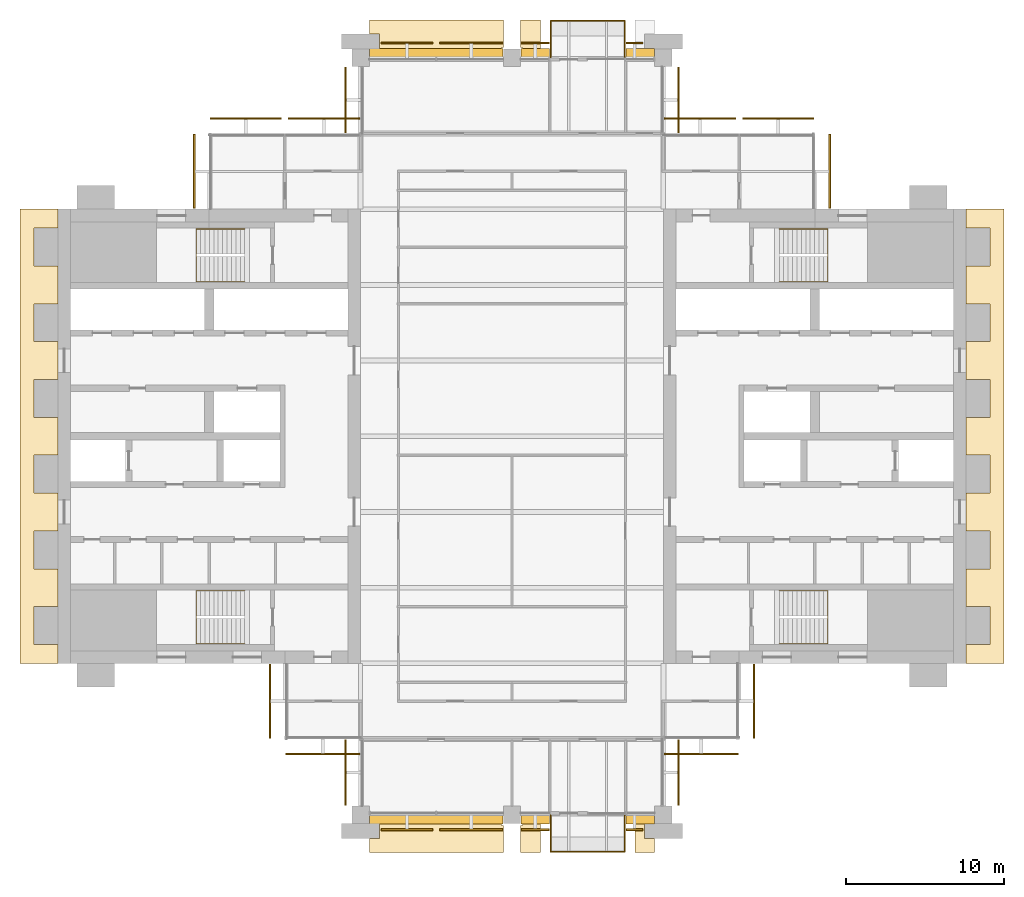
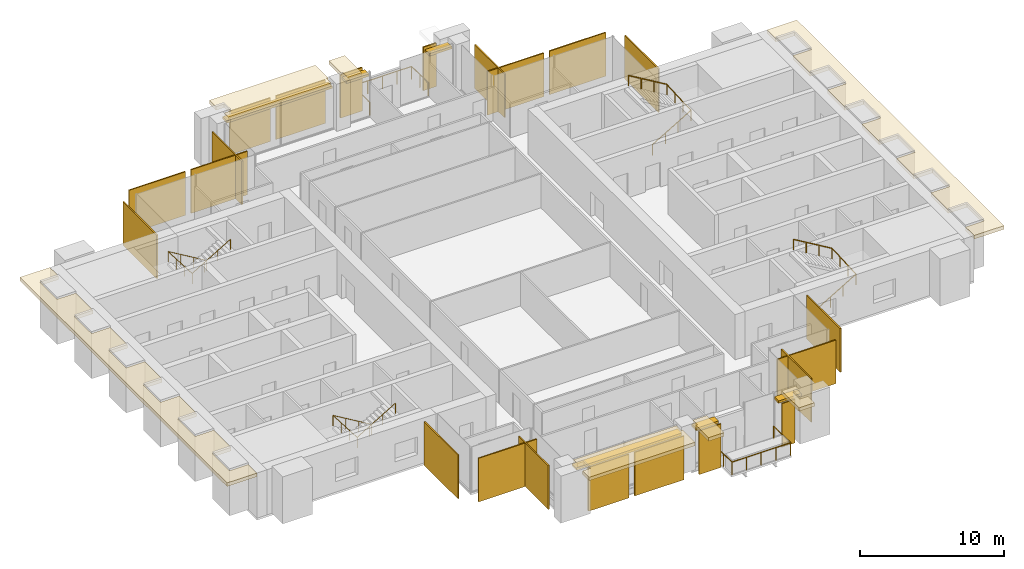
# One storey, part 13 of 14: 29 coverings, 6 railings, 6 shading devices.
"""IFC4 building model written with IfcOpenShell, lengths in metres."""

from ifc_helpers import new_model, si_unit, direction, frame, origin, origin_2d, place, context, subcontext, project, spatial, polyline, rectangle, circle, outline, extrude, material, layer, layer_set, type_object, element, save


model = new_model("IFC4")

# Units and contexts
model_context = context("Model", 3, precision=1e-05, world=origin(), true_north=direction((0.0, 1.0)))
body_context = subcontext(model_context, "Body", "Model", "MODEL_VIEW")
ifc_project = project(units=[si_unit("LENGTHUNIT", "METRE"), si_unit("AREAUNIT", "SQUARE_METRE"), si_unit("VOLUMEUNIT", "CUBIC_METRE"), si_unit("PLANEANGLEUNIT", "RADIAN"), si_unit("MASSUNIT", "GRAM", prefix="KILO")], contexts=[model_context])

# Site, building, storey
site_placement = place(None, origin())
site = spatial("IfcSite", under=ifc_project, at=site_placement, CompositionType="ELEMENT")
building_placement = place(site_placement, origin())
building = spatial("IfcBuilding", under=site, at=building_placement, Name="Baori Bourse Tower", CompositionType="ELEMENT")
storey_placement = place(building_placement, frame((0.0, 0.0, 245.199951171875)))
storey = spatial("IfcBuildingStorey", under=building, at=storey_placement, Name="L54", CompositionType="ELEMENT", Elevation=245.199951171875)

# Coverings
ifc_material_1 = material(Name="Pale anodised aluminium", Category="aluminium")
covering_type_1 = type_object("IfcCoveringType", Name="BD1 Pale metal band", PredefinedType="CLADDING", material=ifc_material_1)
covering_1_placement = place(storey_placement, frame((0.0, 0.0, 3.5400390625)))
element("IfcCovering", 1, at=covering_1_placement, inside=storey, type_object=covering_type_1, Name="Pale projecting band L54 1", PredefinedType="CLADDING", context=body_context, shape_type="SweptSolid", body=[
    extrude(outline(polyline([(57.60009765625, 10.800048828125), (57.60009765625, 9.60009765625), (60.0, 9.60009765625), (60.0, 38.39990234375), (57.60009765625, 38.39990234375), (57.60009765625, 37.199951171875), (59.10009765625, 37.199951171875), (59.10009765625, 34.800048828125), (57.60009765625, 34.800048828125), (57.60009765625, 32.39990234375), (59.10009765625, 32.39990234375), (59.10009765625, 30.0), (57.60009765625, 30.0), (57.60009765625, 27.60009765625), (59.10009765625, 27.60009765625), (59.10009765625, 25.199951171875), (57.60009765625, 25.199951171875), (57.60009765625, 22.800048828125), (59.10009765625, 22.800048828125), (59.10009765625, 20.39990234375), (57.60009765625, 20.39990234375), (57.60009765625, 18.0), (59.10009765625, 18.0), (59.10009765625, 15.60009765625), (57.60009765625, 15.60009765625), (57.60009765625, 13.199951171875), (59.10009765625, 13.199951171875), (59.10009765625, 10.800048828125), (57.60009765625, 10.800048828125)])), origin(), (0.0, 0.0, 1.0), 0.300048828125),
])
covering_2_placement = place(storey_placement, frame((0.0, 0.0, 3.5400390625)))
element("IfcCovering", 2, at=covering_2_placement, inside=storey, type_object=covering_type_1, Name="Pale projecting band L54 3", PredefinedType="CLADDING", context=body_context, shape_type="SweptSolid", body=[
    extrude(outline(polyline([(29.469970703125, 48.0), (30.60009765625, 48.0), (30.60009765625, 50.39990234375), (29.35009765625, 50.39990234375), (29.35009765625, 48.669921875), (29.469970703125, 48.669921875), (29.469970703125, 48.0)])), origin(), (0.0, 0.0, 1.0), 0.300048828125),
])
covering_3_placement = place(storey_placement, frame((0.0, 0.0, 3.5400390625)))
element("IfcCovering", 3, at=covering_3_placement, inside=storey, type_object=covering_type_1, Name="Pale projecting band L54 4", PredefinedType="CLADDING", context=body_context, shape_type="SweptSolid", body=[
    extrude(outline(polyline([(19.8701171875, 48.0), (28.1298828125, 48.0), (28.1298828125, 48.669921875), (28.25, 48.669921875), (28.25, 50.39990234375), (19.75, 50.39990234375), (19.75, 49.5), (20.39990234375, 49.5), (20.39990234375, 48.550048828125), (19.8701171875, 48.550048828125), (19.8701171875, 48.0)])), origin(), (0.0, 0.0, 1.0), 0.300048828125),
])
covering_4_placement = place(storey_placement, frame((0.0, 0.0, 3.5400390625)))
element("IfcCovering", 4, at=covering_4_placement, inside=storey, type_object=covering_type_1, Name="Pale projecting band L54 5", PredefinedType="CLADDING", context=body_context, shape_type="SweptSolid", body=[
    extrude(outline(polyline([(0.0, 37.199951171875), (0.0, 38.39990234375), (-2.39990234375, 38.39990234375), (-2.39990234375, 9.60009765625), (0.0, 9.60009765625), (0.0, 10.800048828125), (-1.5, 10.800048828125), (-1.5, 13.199951171875), (0.0, 13.199951171875), (0.0, 15.60009765625), (-1.5, 15.60009765625), (-1.5, 18.0), (0.0, 18.0), (0.0, 20.39990234375), (-1.5, 20.39990234375), (-1.5, 22.800048828125), (0.0, 22.800048828125), (0.0, 25.199951171875), (-1.5, 25.199951171875), (-1.5, 27.60009765625), (0.0, 27.60009765625), (0.0, 30.0), (-1.5, 30.0), (-1.5, 32.39990234375), (0.0, 32.39990234375), (0.0, 34.800048828125), (-1.5, 34.800048828125), (-1.5, 37.199951171875), (0.0, 37.199951171875)])), origin(), (0.0, 0.0, 1.0), 0.300048828125),
])
covering_5_placement = place(storey_placement, frame((0.0, 0.0, 3.5400390625)))
element("IfcCovering", 5, at=covering_5_placement, inside=storey, type_object=covering_type_1, Name="Pale projecting band L54 6", PredefinedType="CLADDING", context=body_context, shape_type="SweptSolid", body=[
    extrude(outline(polyline([(28.1298828125, 0.0), (19.8701171875, 0.0), (19.8701171875, -0.550048828125), (20.39990234375, -0.550048828125), (20.39990234375, -1.5), (19.75, -1.5), (19.75, -2.39990234375), (28.25, -2.39990234375), (28.25, -0.669921875), (28.1298828125, -0.669921875), (28.1298828125, 0.0)])), origin(), (0.0, 0.0, 1.0), 0.300048828125),
])
covering_6_placement = place(storey_placement, frame((0.0, 0.0, 3.5400390625)))
element("IfcCovering", 6, at=covering_6_placement, inside=storey, type_object=covering_type_1, Name="Pale projecting band L54 7", PredefinedType="CLADDING", context=body_context, shape_type="SweptSolid", body=[
    extrude(outline(polyline([(30.60009765625, 0.0), (29.469970703125, 0.0), (29.469970703125, -0.669921875), (29.35009765625, -0.669921875), (29.35009765625, -2.39990234375), (30.60009765625, -2.39990234375), (30.60009765625, 0.0)])), origin(), (0.0, 0.0, 1.0), 0.300048828125),
])
covering_7_placement = place(storey_placement, frame((0.0, 0.0, 3.5400390625)))
element("IfcCovering", 7, at=covering_7_placement, inside=storey, type_object=covering_type_1, Name="Pale projecting band L54 8", PredefinedType="CLADDING", context=body_context, shape_type="SweptSolid", body=[
    extrude(outline(polyline([(37.72998046875, 0.0), (36.60009765625, 0.0), (36.60009765625, -2.39990234375), (37.85009765625, -2.39990234375), (37.85009765625, -1.5), (37.199951171875, -1.5), (37.199951171875, -0.550048828125), (37.72998046875, -0.550048828125), (37.72998046875, 0.0)])), origin(), (0.0, 0.0, 1.0), 0.300048828125),
])

# Shading devices
ifc_material_2 = material(Name="Concrete f'c 40 MPa", Category="concrete")
ifc_layer_1 = layer(ifc_material_2, 0.199951171875)
ifc_layer_set_1 = layer_set([ifc_layer_1], Name="BS1 Brise-soleil ledge")
shading_device_type = type_object("IfcShadingDeviceType", Name="BS1 Brise-soleil ledge", PredefinedType="USERDEFINED", material=ifc_layer_set_1)
for number, where, z_axis, x_axis, name in (
    (8, (36.925048828125, 48.300048828125, 3.33984375), (0.0, 0.0, 1.0), (-1.0, 0.0, 0.0), "Brise-soleil ledge L54 1"),
    (9, (30.27490234375, 48.300048828125, 3.33984375), (0.0, 0.0, 1.0), (-1.0, 0.0, 0.0), "Brise-soleil ledge L54 2"),
):
    element("IfcShadingDevice", number, at=place(storey_placement, frame(where, z_axis=z_axis, x_axis=x_axis)), inside=storey, type_object=shading_device_type, Name=name, ObjectType="BRISE SOLEIL", PredefinedType="USERDEFINED", context=body_context, shape_type="SweptSolid", body=[
        extrude(rectangle(XDim=1.81005859375, YDim=0.60009765625, at=origin_2d()), origin(), (0.0, 0.0, 1.0), 0.199951171875),
    ])
for number, where, z_axis, x_axis, name in (
    (10, (24.0, 48.300048828125, 3.33984375), (0.0, 0.0, 1.0), (-1.0, 0.0, 0.0), "Brise-soleil ledge L54 3"),
    (11, (24.0, -0.300048828125, 3.33984375), (0.0, 0.0, 1.0), (1.0, 0.0, 0.0), "Brise-soleil ledge L54 4"),
):
    element("IfcShadingDevice", number, at=place(storey_placement, frame(where, z_axis=z_axis, x_axis=x_axis)), inside=storey, type_object=shading_device_type, Name=name, ObjectType="BRISE SOLEIL", PredefinedType="USERDEFINED", context=body_context, shape_type="SweptSolid", body=[
        extrude(rectangle(XDim=8.4599609375, YDim=0.60009765625, at=origin_2d()), origin(), (0.0, 0.0, 1.0), 0.199951171875),
    ])
for number, where, z_axis, x_axis, name in (
    (12, (30.27490234375, -0.300048828125, 3.33984375), (0.0, 0.0, 1.0), (1.0, 0.0, 0.0), "Brise-soleil ledge L54 5"),
    (13, (36.925048828125, -0.300048828125, 3.33984375), (0.0, 0.0, 1.0), (1.0, 0.0, 0.0), "Brise-soleil ledge L54 6"),
):
    element("IfcShadingDevice", number, at=place(storey_placement, frame(where, z_axis=z_axis, x_axis=x_axis)), inside=storey, type_object=shading_device_type, Name=name, ObjectType="BRISE SOLEIL", PredefinedType="USERDEFINED", context=body_context, shape_type="SweptSolid", body=[
        extrude(rectangle(XDim=1.81005859375, YDim=0.60009765625, at=origin_2d()), origin(), (0.0, 0.0, 1.0), 0.199951171875),
    ])

# Railings
ifc_material_3 = material(Name="Powder-coated steel balustrade", Category="steel")
railing_type_1 = type_object("IfcRailingType", Name="Core stair handrail", PredefinedType="HANDRAIL", material=ifc_material_3)
railing_1_placement = place(storey_placement, frame((11.85009765625, 14.199951171875, 0.166748046875)))
element("IfcRailing", 14, at=railing_1_placement, inside=storey, type_object=railing_type_1, Name="L54 ST1 stair handrail 1", PredefinedType="HANDRAIL", context=body_context, shape_type="SweptSolid", body=[
    extrude(circle(Radius=0.02392578125, at=origin_2d()), frame((0.0, 0.0, 0.8759765625), z_axis=(-0.859308565015, 0.0, 0.511457515432), x_axis=(0.0, -1.0, 0.0)), (0.0, 0.0, 1.0), 3.58447265625),
    extrude(circle(Radius=0.02392578125, at=origin_2d()), frame((-3.080078125, 0.0, 2.708984375), z_axis=(0.0, -0.998763387249, 0.04971615724), x_axis=(1.0, 0.0, 0.0)), (0.0, 0.0, 1.0), 3.35400390625),
    extrude(circle(Radius=0.02392578125, at=origin_2d()), frame((-3.080078125, -3.349853515625, 2.8759765625), z_axis=(0.859308565015, 0.0, 0.511457515432), x_axis=(0.0, 1.0, 0.0)), (0.0, 0.0, 1.0), 3.58447265625),
    extrude(circle(Radius=0.02099609375, at=origin_2d()), origin(), (0.0, 0.0, 1.0), 0.851806640625),
    extrude(circle(Radius=0.02099609375, at=origin_2d()), frame((-1.026611328125, 0.0, 0.611083984375)), (0.0, 0.0, 1.0), 0.851806640625),
    extrude(circle(Radius=0.02099609375, at=origin_2d()), frame((-2.053466796875, 0.0, 1.22216796875)), (0.0, 0.0, 1.0), 0.851806640625),
    extrude(circle(Radius=0.02099609375, at=origin_2d()), frame((-3.080078125, 0.0, 1.833251953125)), (0.0, 0.0, 1.0), 0.851806640625),
    extrude(circle(Radius=0.02099609375, at=origin_2d()), frame((-3.080078125, -1.11669921875, 1.888916015625)), (0.0, 0.0, 1.0), 0.851806640625),
    extrude(circle(Radius=0.02099609375, at=origin_2d()), frame((-3.080078125, -2.233154296875, 1.9443359375)), (0.0, 0.0, 1.0), 0.851806640625),
    extrude(circle(Radius=0.02099609375, at=origin_2d()), frame((-3.080078125, -3.349853515625, 2.0)), (0.0, 0.0, 1.0), 0.851806640625),
    extrude(circle(Radius=0.02099609375, at=origin_2d()), frame((-2.053466796875, -3.349853515625, 2.611083984375)), (0.0, 0.0, 1.0), 0.851806640625),
    extrude(circle(Radius=0.02099609375, at=origin_2d()), frame((-1.026611328125, -3.349853515625, 3.22216796875)), (0.0, 0.0, 1.0), 0.851806640625),
    extrude(circle(Radius=0.02099609375, at=origin_2d()), frame((0.0, -3.349853515625, 3.833251953125)), (0.0, 0.0, 1.0), 0.851806640625),
])
railing_2_placement = place(storey_placement, frame((11.85009765625, 37.14990234375, 0.166748046875)))
element("IfcRailing", 15, at=railing_2_placement, inside=storey, type_object=railing_type_1, Name="L54 ST2 stair handrail 1", PredefinedType="HANDRAIL", context=body_context, shape_type="SweptSolid", body=[
    extrude(circle(Radius=0.02392578125, at=origin_2d()), frame((0.0, 0.0, 0.8759765625), z_axis=(-0.859308565015, 0.0, 0.511457515432), x_axis=(0.0, -1.0, 0.0)), (0.0, 0.0, 1.0), 3.58447265625),
    extrude(circle(Radius=0.02392578125, at=origin_2d()), frame((-3.080078125, 0.0, 2.708984375), z_axis=(0.0, -0.998763387249, 0.04971615724), x_axis=(1.0, 0.0, 0.0)), (0.0, 0.0, 1.0), 3.35400390625),
    extrude(circle(Radius=0.02392578125, at=origin_2d()), frame((-3.080078125, -3.349853515625, 2.8759765625), z_axis=(0.859308565015, 0.0, 0.511457515432), x_axis=(0.0, 1.0, 0.0)), (0.0, 0.0, 1.0), 3.58447265625),
    extrude(circle(Radius=0.02099609375, at=origin_2d()), origin(), (0.0, 0.0, 1.0), 0.851806640625),
    extrude(circle(Radius=0.02099609375, at=origin_2d()), frame((-1.026611328125, 0.0, 0.611083984375)), (0.0, 0.0, 1.0), 0.851806640625),
    extrude(circle(Radius=0.02099609375, at=origin_2d()), frame((-2.053466796875, 0.0, 1.22216796875)), (0.0, 0.0, 1.0), 0.851806640625),
    extrude(circle(Radius=0.02099609375, at=origin_2d()), frame((-3.080078125, 0.0, 1.833251953125)), (0.0, 0.0, 1.0), 0.851806640625),
    extrude(circle(Radius=0.02099609375, at=origin_2d()), frame((-3.080078125, -1.11669921875, 1.888916015625)), (0.0, 0.0, 1.0), 0.851806640625),
    extrude(circle(Radius=0.02099609375, at=origin_2d()), frame((-3.080078125, -2.233154296875, 1.9443359375)), (0.0, 0.0, 1.0), 0.851806640625),
    extrude(circle(Radius=0.02099609375, at=origin_2d()), frame((-3.080078125, -3.349853515625, 2.0)), (0.0, 0.0, 1.0), 0.851806640625),
    extrude(circle(Radius=0.02099609375, at=origin_2d()), frame((-2.053466796875, -3.349853515625, 2.611083984375)), (0.0, 0.0, 1.0), 0.851806640625),
    extrude(circle(Radius=0.02099609375, at=origin_2d()), frame((-1.026611328125, -3.349853515625, 3.22216796875)), (0.0, 0.0, 1.0), 0.851806640625),
    extrude(circle(Radius=0.02099609375, at=origin_2d()), frame((0.0, -3.349853515625, 3.833251953125)), (0.0, 0.0, 1.0), 0.851806640625),
])
railing_3_placement = place(storey_placement, frame((45.75, 10.85009765625, 0.166748046875)))
element("IfcRailing", 16, at=railing_3_placement, inside=storey, type_object=railing_type_1, Name="L54 ST3 stair handrail 1", PredefinedType="HANDRAIL", context=body_context, shape_type="SweptSolid", body=[
    extrude(circle(Radius=0.02392578125, at=origin_2d()), frame((0.0, 0.0, 0.8759765625), z_axis=(0.859308565015, 0.0, 0.511457515432), x_axis=(0.0, 1.0, 0.0)), (0.0, 0.0, 1.0), 3.58447265625),
    extrude(circle(Radius=0.02392578125, at=origin_2d()), frame((3.080078125, 0.0, 2.708984375), z_axis=(0.0, 0.998763387249, 0.04971615724), x_axis=(-1.0, 0.0, 0.0)), (0.0, 0.0, 1.0), 3.35400390625),
    extrude(circle(Radius=0.02392578125, at=origin_2d()), frame((3.080078125, 3.349853515625, 2.8759765625), z_axis=(-0.859308565015, 0.0, 0.511457515432), x_axis=(0.0, -1.0, 0.0)), (0.0, 0.0, 1.0), 3.58447265625),
    extrude(circle(Radius=0.02099609375, at=origin_2d()), origin(), (0.0, 0.0, 1.0), 0.851806640625),
    extrude(circle(Radius=0.02099609375, at=origin_2d()), frame((1.026611328125, 0.0, 0.611083984375)), (0.0, 0.0, 1.0), 0.851806640625),
    extrude(circle(Radius=0.02099609375, at=origin_2d()), frame((2.053466796875, 0.0, 1.22216796875)), (0.0, 0.0, 1.0), 0.851806640625),
    extrude(circle(Radius=0.02099609375, at=origin_2d()), frame((3.080078125, 0.0, 1.833251953125)), (0.0, 0.0, 1.0), 0.851806640625),
    extrude(circle(Radius=0.02099609375, at=origin_2d()), frame((3.080078125, 1.11669921875, 1.888916015625)), (0.0, 0.0, 1.0), 0.851806640625),
    extrude(circle(Radius=0.02099609375, at=origin_2d()), frame((3.080078125, 2.233154296875, 1.9443359375)), (0.0, 0.0, 1.0), 0.851806640625),
    extrude(circle(Radius=0.02099609375, at=origin_2d()), frame((3.080078125, 3.349853515625, 2.0)), (0.0, 0.0, 1.0), 0.851806640625),
    extrude(circle(Radius=0.02099609375, at=origin_2d()), frame((2.053466796875, 3.349853515625, 2.611083984375)), (0.0, 0.0, 1.0), 0.851806640625),
    extrude(circle(Radius=0.02099609375, at=origin_2d()), frame((1.026611328125, 3.349853515625, 3.22216796875)), (0.0, 0.0, 1.0), 0.851806640625),
    extrude(circle(Radius=0.02099609375, at=origin_2d()), frame((0.0, 3.349853515625, 3.833251953125)), (0.0, 0.0, 1.0), 0.851806640625),
])
railing_4_placement = place(storey_placement, frame((45.75, 33.800048828125, 0.166748046875)))
element("IfcRailing", 17, at=railing_4_placement, inside=storey, type_object=railing_type_1, Name="L54 ST4 stair handrail 1", PredefinedType="HANDRAIL", context=body_context, shape_type="SweptSolid", body=[
    extrude(circle(Radius=0.02392578125, at=origin_2d()), frame((0.0, 0.0, 0.8759765625), z_axis=(0.859308565015, 0.0, 0.511457515432), x_axis=(0.0, 1.0, 0.0)), (0.0, 0.0, 1.0), 3.58447265625),
    extrude(circle(Radius=0.02392578125, at=origin_2d()), frame((3.080078125, 0.0, 2.708984375), z_axis=(0.0, 0.998763387249, 0.04971615724), x_axis=(-1.0, 0.0, 0.0)), (0.0, 0.0, 1.0), 3.35400390625),
    extrude(circle(Radius=0.02392578125, at=origin_2d()), frame((3.080078125, 3.349853515625, 2.8759765625), z_axis=(-0.859308565015, 0.0, 0.511457515432), x_axis=(0.0, -1.0, 0.0)), (0.0, 0.0, 1.0), 3.58447265625),
    extrude(circle(Radius=0.02099609375, at=origin_2d()), origin(), (0.0, 0.0, 1.0), 0.851806640625),
    extrude(circle(Radius=0.02099609375, at=origin_2d()), frame((1.026611328125, 0.0, 0.611083984375)), (0.0, 0.0, 1.0), 0.851806640625),
    extrude(circle(Radius=0.02099609375, at=origin_2d()), frame((2.053466796875, 0.0, 1.22216796875)), (0.0, 0.0, 1.0), 0.851806640625),
    extrude(circle(Radius=0.02099609375, at=origin_2d()), frame((3.080078125, 0.0, 1.833251953125)), (0.0, 0.0, 1.0), 0.851806640625),
    extrude(circle(Radius=0.02099609375, at=origin_2d()), frame((3.080078125, 1.11669921875, 1.888916015625)), (0.0, 0.0, 1.0), 0.851806640625),
    extrude(circle(Radius=0.02099609375, at=origin_2d()), frame((3.080078125, 2.233154296875, 1.9443359375)), (0.0, 0.0, 1.0), 0.851806640625),
    extrude(circle(Radius=0.02099609375, at=origin_2d()), frame((3.080078125, 3.349853515625, 2.0)), (0.0, 0.0, 1.0), 0.851806640625),
    extrude(circle(Radius=0.02099609375, at=origin_2d()), frame((2.053466796875, 3.349853515625, 2.611083984375)), (0.0, 0.0, 1.0), 0.851806640625),
    extrude(circle(Radius=0.02099609375, at=origin_2d()), frame((1.026611328125, 3.349853515625, 3.22216796875)), (0.0, 0.0, 1.0), 0.851806640625),
    extrude(circle(Radius=0.02099609375, at=origin_2d()), frame((0.0, 3.349853515625, 3.833251953125)), (0.0, 0.0, 1.0), 0.851806640625),
])
ifc_material_4 = material(Name="Stainless steel", Category="steel")
railing_type_2 = type_object("IfcRailingType", Name="GD1 Guard", PredefinedType="GUARDRAIL", material=ifc_material_4)
railing_5_placement = place(storey_placement, frame((31.25, -0.030029296875, 0.0)))
element("IfcRailing", 18, at=railing_5_placement, inside=storey, type_object=railing_type_2, Name="Guard balcony S L54 1", PredefinedType="GUARDRAIL", context=body_context, shape_type="SweptSolid", body=[
    extrude(circle(Radius=0.02392578125, at=origin_2d()), frame((0.0, 0.0, 1.076171875), z_axis=(0.0, -1.0, 0.0), x_axis=(1.0, 0.0, 0.0)), (0.0, 0.0, 1.0), 2.320068359375),
    extrude(circle(Radius=0.02392578125, at=origin_2d()), frame((0.0, -2.320068359375, 1.076171875), z_axis=(1.0, 0.0, 0.0), x_axis=(0.0, 1.0, 0.0)), (0.0, 0.0, 1.0), 4.699951171875),
    extrude(circle(Radius=0.02392578125, at=origin_2d()), frame((4.699951171875, -2.320068359375, 1.076171875), z_axis=(0.0, 1.0, 0.0), x_axis=(-1.0, 0.0, 0.0)), (0.0, 0.0, 1.0), 2.320068359375),
    extrude(circle(Radius=0.02099609375, at=origin_2d()), origin(), (0.0, 0.0, 1.0), 1.052001953125),
    extrude(circle(Radius=0.02099609375, at=origin_2d()), frame((0.0, -1.16015625, 0.0)), (0.0, 0.0, 1.0), 1.052001953125),
    extrude(circle(Radius=0.02099609375, at=origin_2d()), frame((0.0, -2.320068359375, 0.0)), (0.0, 0.0, 1.0), 1.052001953125),
    extrude(circle(Radius=0.02099609375, at=origin_2d()), frame((1.175048828125, -2.320068359375, 0.0)), (0.0, 0.0, 1.0), 1.052001953125),
    extrude(circle(Radius=0.02099609375, at=origin_2d()), frame((2.35009765625, -2.320068359375, 0.0)), (0.0, 0.0, 1.0), 1.052001953125),
    extrude(circle(Radius=0.02099609375, at=origin_2d()), frame((3.52490234375, -2.320068359375, 0.0)), (0.0, 0.0, 1.0), 1.052001953125),
    extrude(circle(Radius=0.02099609375, at=origin_2d()), frame((4.699951171875, -2.320068359375, 0.0)), (0.0, 0.0, 1.0), 1.052001953125),
    extrude(circle(Radius=0.02099609375, at=origin_2d()), frame((4.699951171875, -1.16015625, 0.0)), (0.0, 0.0, 1.0), 1.052001953125),
    extrude(circle(Radius=0.02099609375, at=origin_2d()), frame((4.699951171875, 0.0, 0.0)), (0.0, 0.0, 1.0), 1.052001953125),
])
railing_6_placement = place(storey_placement, frame((31.25, 48.030029296875, 0.0)))
element("IfcRailing", 19, at=railing_6_placement, inside=storey, type_object=railing_type_2, Name="Guard balcony N L54 2", PredefinedType="GUARDRAIL", context=body_context, shape_type="SweptSolid", body=[
    extrude(circle(Radius=0.02392578125, at=origin_2d()), frame((0.0, 0.0, 1.076171875), z_axis=(0.0, 1.0, 0.0), x_axis=(-1.0, 0.0, 0.0)), (0.0, 0.0, 1.0), 2.320068359375),
    extrude(circle(Radius=0.02392578125, at=origin_2d()), frame((0.0, 2.320068359375, 1.076171875), z_axis=(1.0, 0.0, 0.0), x_axis=(0.0, 1.0, 0.0)), (0.0, 0.0, 1.0), 4.699951171875),
    extrude(circle(Radius=0.02392578125, at=origin_2d()), frame((4.699951171875, 2.320068359375, 1.076171875), z_axis=(0.0, -1.0, 0.0), x_axis=(1.0, 0.0, 0.0)), (0.0, 0.0, 1.0), 2.320068359375),
    extrude(circle(Radius=0.02099609375, at=origin_2d()), origin(), (0.0, 0.0, 1.0), 1.052001953125),
    extrude(circle(Radius=0.02099609375, at=origin_2d()), frame((0.0, 1.16015625, 0.0)), (0.0, 0.0, 1.0), 1.052001953125),
    extrude(circle(Radius=0.02099609375, at=origin_2d()), frame((0.0, 2.320068359375, 0.0)), (0.0, 0.0, 1.0), 1.052001953125),
    extrude(circle(Radius=0.02099609375, at=origin_2d()), frame((1.175048828125, 2.320068359375, 0.0)), (0.0, 0.0, 1.0), 1.052001953125),
    extrude(circle(Radius=0.02099609375, at=origin_2d()), frame((2.35009765625, 2.320068359375, 0.0)), (0.0, 0.0, 1.0), 1.052001953125),
    extrude(circle(Radius=0.02099609375, at=origin_2d()), frame((3.52490234375, 2.320068359375, 0.0)), (0.0, 0.0, 1.0), 1.052001953125),
    extrude(circle(Radius=0.02099609375, at=origin_2d()), frame((4.699951171875, 2.320068359375, 0.0)), (0.0, 0.0, 1.0), 1.052001953125),
    extrude(circle(Radius=0.02099609375, at=origin_2d()), frame((4.699951171875, 1.16015625, 0.0)), (0.0, 0.0, 1.0), 1.052001953125),
    extrude(circle(Radius=0.02099609375, at=origin_2d()), frame((4.699951171875, 0.0, 0.0)), (0.0, 0.0, 1.0), 1.052001953125),
])

# Coverings
ifc_material_5 = material(Name="Pale anodised aluminium", Category="aluminium")
ifc_layer_2 = layer(ifc_material_5, 0.10009765625)
ifc_layer_set_2 = layer_set([ifc_layer_2], Name="OS3 Outer skin screen panel")
covering_type_2 = type_object("IfcCoveringType", Name="OS3 Outer skin screen panel", PredefinedType="CLADDING", material=ifc_layer_set_2)
covering_8_placement = place(storey_placement, frame((0.0, 0.0, -0.159912109375)))
element("IfcCovering", 20, at=covering_8_placement, inside=storey, type_object=covering_type_2, Name="Outer skin screen L54 1", PredefinedType="CLADDING", context=body_context, shape_type="SweptSolid", body=[
    extrude(outline(polyline([(48.89990234375, 43.14990234375), (48.89990234375, 38.449951171875), (49.0, 38.449951171875), (49.0, 43.14990234375), (48.89990234375, 43.14990234375)])), origin(), (0.0, 0.0, 1.0), 3.699951171875),
])
covering_9_placement = place(storey_placement, frame((0.0, 0.0, -0.159912109375)))
element("IfcCovering", 21, at=covering_9_placement, inside=storey, type_object=covering_type_2, Name="Outer skin screen L54 2", PredefinedType="CLADDING", context=body_context, shape_type="SweptSolid", body=[
    extrude(outline(polyline([(43.425048828125, 44.10009765625), (47.949951171875, 44.10009765625), (47.949951171875, 44.199951171875), (43.425048828125, 44.199951171875), (43.425048828125, 44.10009765625)])), origin(), (0.0, 0.0, 1.0), 3.699951171875),
])
covering_10_placement = place(storey_placement, frame((0.0, 0.0, -0.159912109375)))
element("IfcCovering", 22, at=covering_10_placement, inside=storey, type_object=covering_type_2, Name="Outer skin screen L54 3", PredefinedType="CLADDING", context=body_context, shape_type="SweptSolid", body=[
    extrude(outline(polyline([(38.449951171875, 44.10009765625), (42.97509765625, 44.10009765625), (42.97509765625, 44.199951171875), (38.449951171875, 44.199951171875), (38.449951171875, 44.10009765625)])), origin(), (0.0, 0.0, 1.0), 3.699951171875),
])
covering_11_placement = place(storey_placement, frame((0.0, 0.0, -0.159912109375)))
element("IfcCovering", 23, at=covering_11_placement, inside=storey, type_object=covering_type_2, Name="Outer skin screen L54 4", PredefinedType="CLADDING", context=body_context, shape_type="SweptSolid", body=[
    extrude(outline(polyline([(39.300048828125, 47.39990234375), (39.300048828125, 43.25), (39.39990234375, 43.25), (39.39990234375, 47.39990234375), (39.300048828125, 47.39990234375)])), origin(), (0.0, 0.0, 1.0), 3.699951171875),
])
covering_12_placement = place(storey_placement, frame((0.0, 0.0, -0.159912109375)))
element("IfcCovering", 24, at=covering_12_placement, inside=storey, type_object=covering_type_2, Name="Outer skin screen L54 5", PredefinedType="CLADDING", context=body_context, shape_type="SweptSolid", body=[
    extrude(outline(polyline([(36.050048828125, 48.89990234375), (37.10009765625, 48.89990234375), (37.10009765625, 49.0), (36.050048828125, 49.0), (36.050048828125, 48.89990234375)])), origin(), (0.0, 0.0, 1.0), 3.699951171875),
])
covering_13_placement = place(storey_placement, frame((0.0, 0.0, -0.159912109375)))
element("IfcCovering", 25, at=covering_13_placement, inside=storey, type_object=covering_type_2, Name="Outer skin screen L54 6", PredefinedType="CLADDING", context=body_context, shape_type="SweptSolid", body=[
    extrude(outline(polyline([(29.39990234375, 48.89990234375), (31.14990234375, 48.89990234375), (31.14990234375, 49.0), (29.39990234375, 49.0), (29.39990234375, 48.89990234375)])), origin(), (0.0, 0.0, 1.0), 3.699951171875),
])
covering_14_placement = place(storey_placement, frame((0.0, 0.0, -0.159912109375)))
element("IfcCovering", 26, at=covering_14_placement, inside=storey, type_object=covering_type_2, Name="Outer skin screen L54 7", PredefinedType="CLADDING", context=body_context, shape_type="SweptSolid", body=[
    extrude(outline(polyline([(24.22509765625, 48.89990234375), (28.199951171875, 48.89990234375), (28.199951171875, 49.0), (24.22509765625, 49.0), (24.22509765625, 48.89990234375)])), origin(), (0.0, 0.0, 1.0), 3.699951171875),
])
covering_15_placement = place(storey_placement, frame((0.0, 0.0, -0.159912109375)))
element("IfcCovering", 27, at=covering_15_placement, inside=storey, type_object=covering_type_2, Name="Outer skin screen L54 8", PredefinedType="CLADDING", context=body_context, shape_type="SweptSolid", body=[
    extrude(outline(polyline([(20.5, 48.89990234375), (23.77490234375, 48.89990234375), (23.77490234375, 49.0), (20.5, 49.0), (20.5, 48.89990234375)])), origin(), (0.0, 0.0, 1.0), 3.699951171875),
])
covering_16_placement = place(storey_placement, frame((0.0, 0.0, -0.159912109375)))
element("IfcCovering", 28, at=covering_16_placement, inside=storey, type_object=covering_type_2, Name="Outer skin screen L54 9", PredefinedType="CLADDING", context=body_context, shape_type="SweptSolid", body=[
    extrude(outline(polyline([(18.300048828125, 43.25), (18.300048828125, 47.39990234375), (18.199951171875, 47.39990234375), (18.199951171875, 43.25), (18.300048828125, 43.25)])), origin(), (0.0, 0.0, 1.0), 3.699951171875),
])
covering_17_placement = place(storey_placement, frame((0.0, 0.0, -0.159912109375)))
element("IfcCovering", 29, at=covering_17_placement, inside=storey, type_object=covering_type_2, Name="Outer skin screen L54 10", PredefinedType="CLADDING", context=body_context, shape_type="SweptSolid", body=[
    extrude(outline(polyline([(14.625, 44.10009765625), (19.14990234375, 44.10009765625), (19.14990234375, 44.199951171875), (14.625, 44.199951171875), (14.625, 44.10009765625)])), origin(), (0.0, 0.0, 1.0), 3.699951171875),
])
covering_18_placement = place(storey_placement, frame((0.0, 0.0, -0.159912109375)))
element("IfcCovering", 30, at=covering_18_placement, inside=storey, type_object=covering_type_2, Name="Outer skin screen L54 11", PredefinedType="CLADDING", context=body_context, shape_type="SweptSolid", body=[
    extrude(outline(polyline([(9.64990234375, 44.10009765625), (14.175048828125, 44.10009765625), (14.175048828125, 44.199951171875), (9.64990234375, 44.199951171875), (9.64990234375, 44.10009765625)])), origin(), (0.0, 0.0, 1.0), 3.699951171875),
])
covering_19_placement = place(storey_placement, frame((0.0, 0.0, -0.159912109375)))
element("IfcCovering", 31, at=covering_19_placement, inside=storey, type_object=covering_type_2, Name="Outer skin screen L54 12", PredefinedType="CLADDING", context=body_context, shape_type="SweptSolid", body=[
    extrude(outline(polyline([(8.699951171875, 38.449951171875), (8.699951171875, 43.14990234375), (8.60009765625, 43.14990234375), (8.60009765625, 38.449951171875), (8.699951171875, 38.449951171875)])), origin(), (0.0, 0.0, 1.0), 3.699951171875),
])
covering_20_placement = place(storey_placement, frame((0.0, 0.0, -0.159912109375)))
element("IfcCovering", 32, at=covering_20_placement, inside=storey, type_object=covering_type_2, Name="Outer skin screen L54 13", PredefinedType="CLADDING", context=body_context, shape_type="SweptSolid", body=[
    extrude(outline(polyline([(13.5, 4.85009765625), (13.5, 9.550048828125), (13.39990234375, 9.550048828125), (13.39990234375, 4.85009765625), (13.5, 4.85009765625)])), origin(), (0.0, 0.0, 1.0), 3.699951171875),
])
covering_21_placement = place(storey_placement, frame((0.0, 0.0, -0.159912109375)))
element("IfcCovering", 33, at=covering_21_placement, inside=storey, type_object=covering_type_2, Name="Outer skin screen L54 14", PredefinedType="CLADDING", context=body_context, shape_type="SweptSolid", body=[
    extrude(outline(polyline([(19.14990234375, 3.89990234375), (14.449951171875, 3.89990234375), (14.449951171875, 3.800048828125), (19.14990234375, 3.800048828125), (19.14990234375, 3.89990234375)])), origin(), (0.0, 0.0, 1.0), 3.699951171875),
])
covering_22_placement = place(storey_placement, frame((0.0, 0.0, -0.159912109375)))
element("IfcCovering", 34, at=covering_22_placement, inside=storey, type_object=covering_type_2, Name="Outer skin screen L54 15", PredefinedType="CLADDING", context=body_context, shape_type="SweptSolid", body=[
    extrude(outline(polyline([(18.300048828125, 0.60009765625), (18.300048828125, 4.75), (18.199951171875, 4.75), (18.199951171875, 0.60009765625), (18.300048828125, 0.60009765625)])), origin(), (0.0, 0.0, 1.0), 3.699951171875),
])
covering_23_placement = place(storey_placement, frame((0.0, 0.0, -0.159912109375)))
element("IfcCovering", 35, at=covering_23_placement, inside=storey, type_object=covering_type_2, Name="Outer skin screen L54 16", PredefinedType="CLADDING", context=body_context, shape_type="SweptSolid", body=[
    extrude(outline(polyline([(23.77490234375, -0.89990234375), (20.5, -0.89990234375), (20.5, -1.0), (23.77490234375, -1.0), (23.77490234375, -0.89990234375)])), origin(), (0.0, 0.0, 1.0), 3.699951171875),
])
covering_24_placement = place(storey_placement, frame((0.0, 0.0, -0.159912109375)))
element("IfcCovering", 36, at=covering_24_placement, inside=storey, type_object=covering_type_2, Name="Outer skin screen L54 17", PredefinedType="CLADDING", context=body_context, shape_type="SweptSolid", body=[
    extrude(outline(polyline([(28.199951171875, -0.89990234375), (24.22509765625, -0.89990234375), (24.22509765625, -1.0), (28.199951171875, -1.0), (28.199951171875, -0.89990234375)])), origin(), (0.0, 0.0, 1.0), 3.699951171875),
])
covering_25_placement = place(storey_placement, frame((0.0, 0.0, -0.159912109375)))
element("IfcCovering", 37, at=covering_25_placement, inside=storey, type_object=covering_type_2, Name="Outer skin screen L54 18", PredefinedType="CLADDING", context=body_context, shape_type="SweptSolid", body=[
    extrude(outline(polyline([(31.14990234375, -0.89990234375), (29.39990234375, -0.89990234375), (29.39990234375, -1.0), (31.14990234375, -1.0), (31.14990234375, -0.89990234375)])), origin(), (0.0, 0.0, 1.0), 3.699951171875),
])
covering_26_placement = place(storey_placement, frame((0.0, 0.0, -0.159912109375)))
element("IfcCovering", 38, at=covering_26_placement, inside=storey, type_object=covering_type_2, Name="Outer skin screen L54 19", PredefinedType="CLADDING", context=body_context, shape_type="SweptSolid", body=[
    extrude(outline(polyline([(37.10009765625, -0.89990234375), (36.050048828125, -0.89990234375), (36.050048828125, -1.0), (37.10009765625, -1.0), (37.10009765625, -0.89990234375)])), origin(), (0.0, 0.0, 1.0), 3.699951171875),
])
covering_27_placement = place(storey_placement, frame((0.0, 0.0, -0.159912109375)))
element("IfcCovering", 39, at=covering_27_placement, inside=storey, type_object=covering_type_2, Name="Outer skin screen L54 20", PredefinedType="CLADDING", context=body_context, shape_type="SweptSolid", body=[
    extrude(outline(polyline([(39.300048828125, 4.75), (39.300048828125, 0.60009765625), (39.39990234375, 0.60009765625), (39.39990234375, 4.75), (39.300048828125, 4.75)])), origin(), (0.0, 0.0, 1.0), 3.699951171875),
])
covering_28_placement = place(storey_placement, frame((0.0, 0.0, -0.159912109375)))
element("IfcCovering", 40, at=covering_28_placement, inside=storey, type_object=covering_type_2, Name="Outer skin screen L54 21", PredefinedType="CLADDING", context=body_context, shape_type="SweptSolid", body=[
    extrude(outline(polyline([(43.14990234375, 3.89990234375), (38.449951171875, 3.89990234375), (38.449951171875, 3.800048828125), (43.14990234375, 3.800048828125), (43.14990234375, 3.89990234375)])), origin(), (0.0, 0.0, 1.0), 3.699951171875),
])
covering_29_placement = place(storey_placement, frame((0.0, 0.0, -0.159912109375)))
element("IfcCovering", 41, at=covering_29_placement, inside=storey, type_object=covering_type_2, Name="Outer skin screen L54 22", PredefinedType="CLADDING", context=body_context, shape_type="SweptSolid", body=[
    extrude(outline(polyline([(44.10009765625, 9.550048828125), (44.10009765625, 4.85009765625), (44.199951171875, 4.85009765625), (44.199951171875, 9.550048828125), (44.10009765625, 9.550048828125)])), origin(), (0.0, 0.0, 1.0), 3.699951171875),
])

save(model, "model.ifc")
